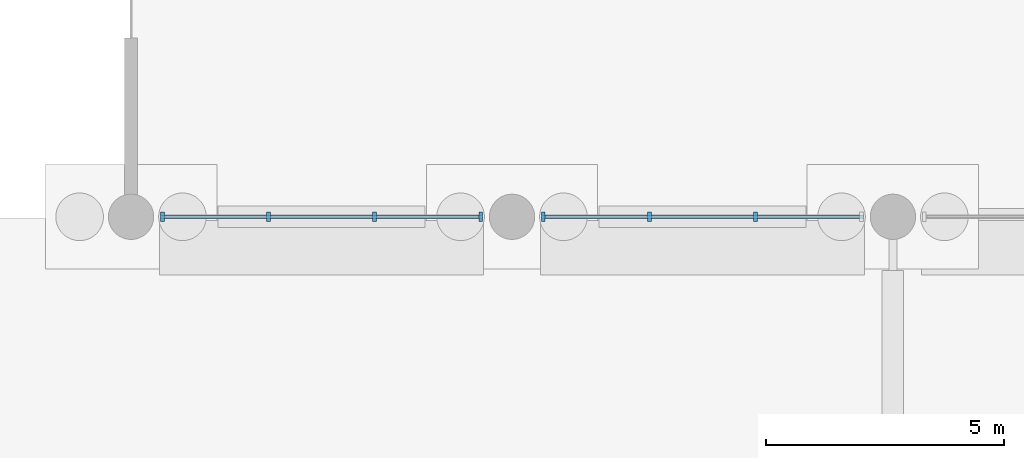
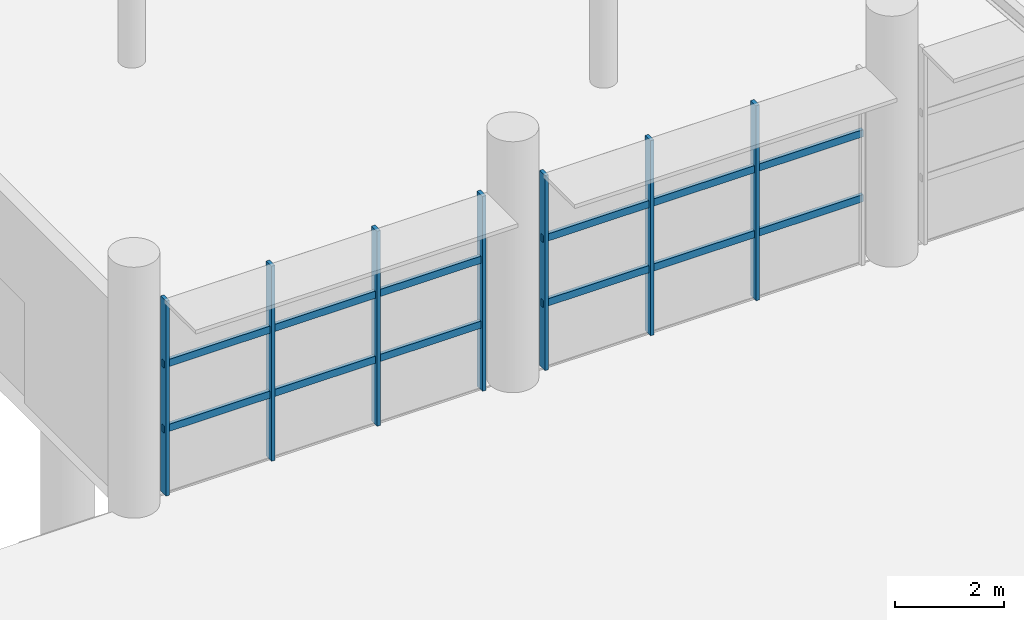
# One storey, part 35 of 98: 11 members, 2 elements without a shape of their own.
"""IFC4 building model written with IfcOpenShell, lengths in metres."""

from ifc_helpers import new_model, si_unit, derived_unit, direction, frame, origin, origin_2d, place, context, subcontext, project, spatial, rectangle, extrude, material, layer, layer_set, material_profile, profile_set, type_object, element, aggregate, save


model = new_model("IFC4")

# Units and contexts
model_context = context("Model", 3, precision=1e-05, world=origin(), true_north=direction((0.0, 1.0)))
body_context = subcontext(model_context, "Body", "Model", "MODEL_VIEW")
ifc_project = project(units=[si_unit("LENGTHUNIT", "METRE"), si_unit("AREAUNIT", "SQUARE_METRE"), si_unit("VOLUMEUNIT", "CUBIC_METRE"), si_unit("PLANEANGLEUNIT", "RADIAN"), si_unit("MASSUNIT", "GRAM", prefix="KILO"), si_unit("THERMODYNAMICTEMPERATUREUNIT", "KELVIN"), derived_unit("THERMALTRANSMITTANCEUNIT", [(si_unit("POWERUNIT", "WATT"), 1), (si_unit("AREAUNIT", "SQUARE_METRE"), -1), (si_unit("THERMODYNAMICTEMPERATUREUNIT", "KELVIN"), -1)])], contexts=[model_context])

# Site, building, storey
site_placement = place(None, origin())
site = spatial("IfcSite", under=ifc_project, at=site_placement, CompositionType="ELEMENT")
building_placement = place(site_placement, origin())
building = spatial("IfcBuilding", under=site, at=building_placement, Name="Haiyu Intermodal Mobility Hub", CompositionType="ELEMENT")
storey_placement = place(building_placement, origin())
storey = spatial("IfcBuildingStorey", under=building, at=storey_placement, Name="L00", CompositionType="ELEMENT", Elevation=0.0)

# Curtain wall, members
ifc_material_1 = material(Name="Low-e laminated insulating glass", Category="glass")
ifc_layer = layer(ifc_material_1, 0.219970703125)
ifc_layer_set = layer_set([ifc_layer], Name="Low-e laminated insulating glass")
curtain_wall_type = type_object("IfcCurtainWallType", Name="CW-CW01", PredefinedType="NOTDEFINED", material=ifc_layer_set)
curtain_wall_1_placement = place(storey_placement, origin())
curtain_wall_1 = element("IfcCurtainWall", 1, at=curtain_wall_1_placement, inside=storey, type_object=curtain_wall_type, Name="Curtain Wall CW-V1S-L00-001", PredefinedType="NOTDEFINED")
ifc_material_2 = material(Name="Anodised aluminium 6063-T6", Category="aluminium")
ifc_material_profile_1 = material_profile(ifc_material_2, rectangle(XDim=0.074951171875, YDim=0.199951171875, at=origin_2d()), Name="ALU75x200")
ifc_profile_set_1 = profile_set([ifc_material_profile_1], Name="Anodised aluminium 6063-T6")
member_type_1 = type_object("IfcMemberType", Name="CWM-ML01", PredefinedType="MULLION", material=ifc_profile_set_1)
member_1_placement = place(storey_placement, frame((62.659912109375, 40.0, 0.0), z_axis=(0.0, 0.0, 1.0), x_axis=(1.0, 0.0, 0.0)))
member_1 = element("IfcMember", 2, at=member_1_placement, type_object=member_type_1, Name="CW-V1S-L00-001-ML01", PredefinedType="MULLION", context=body_context, shape_type="SweptSolid", body=[
    extrude(rectangle(XDim=0.074951171875, YDim=0.199951171875, at=origin_2d()), origin(), (0.0, 0.0, 1.0), 4.35009765625),
])
member_2_placement = place(storey_placement, frame((64.886962890625, 40.0, 0.0), z_axis=(0.0, 0.0, 1.0), x_axis=(1.0, 0.0, 0.0)))
member_2 = element("IfcMember", 3, at=member_2_placement, type_object=member_type_1, Name="CW-V1S-L00-001-ML02", PredefinedType="MULLION", context=body_context, shape_type="SweptSolid", body=[
    extrude(rectangle(XDim=0.074951171875, YDim=0.199951171875, at=origin_2d()), origin(), (0.0, 0.0, 1.0), 4.35009765625),
])
member_3_placement = place(storey_placement, frame((67.113037109375, 40.0, 0.0), z_axis=(0.0, 0.0, 1.0), x_axis=(1.0, 0.0, 0.0)))
member_3 = element("IfcMember", 4, at=member_3_placement, type_object=member_type_1, Name="CW-V1S-L00-001-ML03", PredefinedType="MULLION", context=body_context, shape_type="SweptSolid", body=[
    extrude(rectangle(XDim=0.074951171875, YDim=0.199951171875, at=origin_2d()), origin(), (0.0, 0.0, 1.0), 4.35009765625),
])
member_4_placement = place(storey_placement, frame((69.340087890625, 40.0, 0.0), z_axis=(0.0, 0.0, 1.0), x_axis=(1.0, 0.0, 0.0)))
member_4 = element("IfcMember", 5, at=member_4_placement, type_object=member_type_1, Name="CW-V1S-L00-001-ML04", PredefinedType="MULLION", context=body_context, shape_type="SweptSolid", body=[
    extrude(rectangle(XDim=0.074951171875, YDim=0.199951171875, at=origin_2d()), origin(), (0.0, 0.0, 1.0), 4.35009765625),
])

curtain_wall_2_placement = place(storey_placement, origin())
curtain_wall_2 = element("IfcCurtainWall", 6, at=curtain_wall_2_placement, inside=storey, type_object=curtain_wall_type, Name="Curtain Wall CW-V1S-L00-003", PredefinedType="NOTDEFINED")
member_5_placement = place(storey_placement, frame((70.659912109375, 40.0, 0.0), z_axis=(0.0, 0.0, 1.0), x_axis=(1.0, 0.0, 0.0)))
member_5 = element("IfcMember", 7, at=member_5_placement, type_object=member_type_1, Name="CW-V1S-L00-003-ML01", PredefinedType="MULLION", context=body_context, shape_type="SweptSolid", body=[
    extrude(rectangle(XDim=0.074951171875, YDim=0.199951171875, at=origin_2d()), origin(), (0.0, 0.0, 1.0), 4.35009765625),
])
member_6_placement = place(storey_placement, frame((72.886962890625, 40.0, 0.0), z_axis=(0.0, 0.0, 1.0), x_axis=(1.0, 0.0, 0.0)))
member_6 = element("IfcMember", 8, at=member_6_placement, type_object=member_type_1, Name="CW-V1S-L00-003-ML02", PredefinedType="MULLION", context=body_context, shape_type="SweptSolid", body=[
    extrude(rectangle(XDim=0.074951171875, YDim=0.199951171875, at=origin_2d()), origin(), (0.0, 0.0, 1.0), 4.35009765625),
])
member_7_placement = place(storey_placement, frame((75.113037109375, 40.0, 0.0), z_axis=(0.0, 0.0, 1.0), x_axis=(1.0, 0.0, 0.0)))
member_7 = element("IfcMember", 9, at=member_7_placement, type_object=member_type_1, Name="CW-V1S-L00-003-ML03", PredefinedType="MULLION", context=body_context, shape_type="SweptSolid", body=[
    extrude(rectangle(XDim=0.074951171875, YDim=0.199951171875, at=origin_2d()), origin(), (0.0, 0.0, 1.0), 4.35009765625),
])

# Member
ifc_material_profile_2 = material_profile(ifc_material_2, rectangle(XDim=0.074951171875, YDim=0.159912109375, at=origin_2d()), Name="ALU75x160")
ifc_profile_set_2 = profile_set([ifc_material_profile_2], Name="Anodised aluminium 6063-T6")
member_type_2 = type_object("IfcMemberType", Name="CWM-TR01", PredefinedType="USERDEFINED", material=ifc_profile_set_2)
member_8_placement = place(storey_placement, frame((62.6201171875, 40.0, 1.449951171875), z_axis=(1.0, 0.0, 0.0), x_axis=(0.0, 1.0, 0.0)))
member_8 = element("IfcMember", 10, at=member_8_placement, type_object=member_type_2, Name="CW-V1S-L00-001-TR01", ObjectType="TRANSOM", PredefinedType="USERDEFINED", context=body_context, shape_type="SweptSolid", body=[
    extrude(rectangle(XDim=0.074951171875, YDim=0.159912109375, at=origin_2d()), origin(), (0.0, 0.0, 1.0), 6.759765625),
])

member_9_placement = place(storey_placement, frame((62.6201171875, 40.0, 2.89990234375), z_axis=(1.0, 0.0, 0.0), x_axis=(0.0, 1.0, 0.0)))
member_9 = element("IfcMember", 11, at=member_9_placement, type_object=member_type_2, Name="CW-V1S-L00-001-TR02", ObjectType="TRANSOM", PredefinedType="USERDEFINED", context=body_context, shape_type="SweptSolid", body=[
    extrude(rectangle(XDim=0.074951171875, YDim=0.159912109375, at=origin_2d()), origin(), (0.0, 0.0, 1.0), 6.759765625),
])

aggregate(curtain_wall_1, [member_1, member_2, member_3, member_4, member_8, member_9])

member_10_placement = place(storey_placement, frame((70.6201171875, 40.0, 1.449951171875), z_axis=(1.0, 0.0, 0.0), x_axis=(0.0, 1.0, 0.0)))
member_10 = element("IfcMember", 12, at=member_10_placement, type_object=member_type_2, Name="CW-V1S-L00-003-TR01", ObjectType="TRANSOM", PredefinedType="USERDEFINED", context=body_context, shape_type="SweptSolid", body=[
    extrude(rectangle(XDim=0.074951171875, YDim=0.159912109375, at=origin_2d()), origin(), (0.0, 0.0, 1.0), 6.759765625),
])

member_11_placement = place(storey_placement, frame((70.6201171875, 40.0, 2.89990234375), z_axis=(1.0, 0.0, 0.0), x_axis=(0.0, 1.0, 0.0)))
member_11 = element("IfcMember", 13, at=member_11_placement, type_object=member_type_2, Name="CW-V1S-L00-003-TR02", ObjectType="TRANSOM", PredefinedType="USERDEFINED", context=body_context, shape_type="SweptSolid", body=[
    extrude(rectangle(XDim=0.074951171875, YDim=0.159912109375, at=origin_2d()), origin(), (0.0, 0.0, 1.0), 6.759765625),
])

aggregate(curtain_wall_2, [member_5, member_6, member_7, member_10, member_11])

save(model, "model.ifc")
